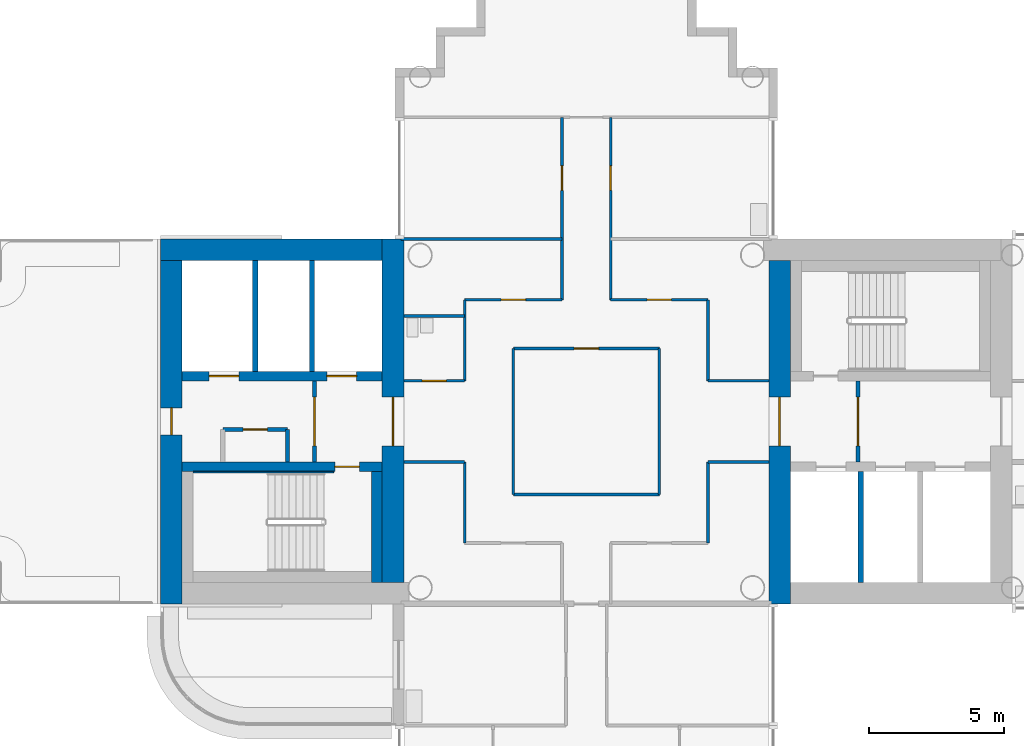
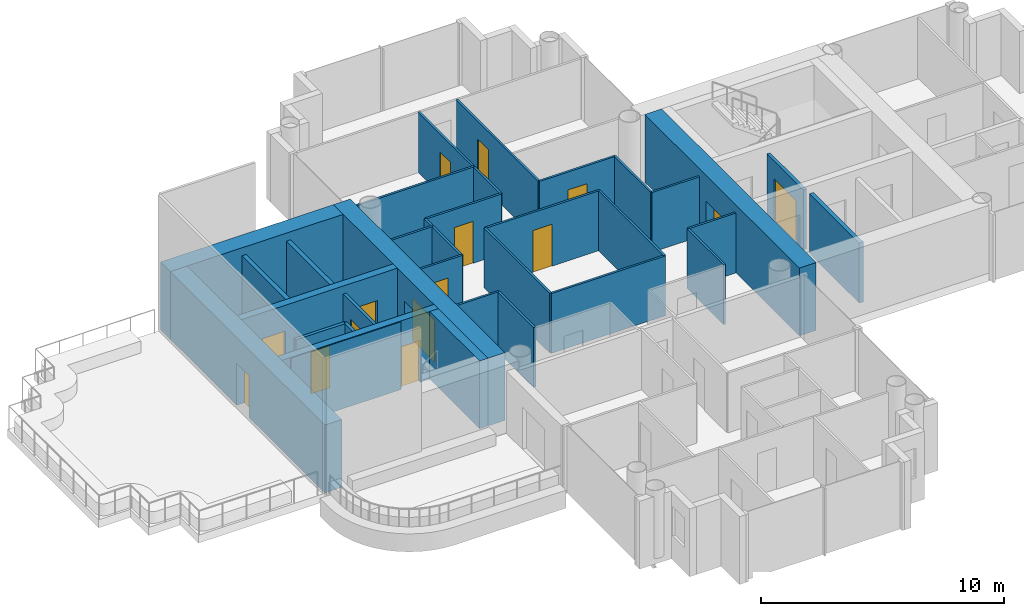
# One storey, part 8 of 19: 33 walls, 15 doors, 15 openings.
"""IFC4 building model written with IfcOpenShell, lengths in metres."""

from ifc_helpers import new_model, si_unit, direction, frame, frame_2d, origin, place, context, subcontext, project, spatial, rectangle, extrude, material, layer, layer_set, type_object, element, fill, save


model = new_model("IFC4")

# Units and contexts
model_context = context("Model", 3, precision=1e-05, world=origin(), true_north=direction((0.0, 1.0)))
body_context = subcontext(model_context, "Body", "Model", "MODEL_VIEW")
ifc_project = project(units=[si_unit("LENGTHUNIT", "METRE"), si_unit("AREAUNIT", "SQUARE_METRE"), si_unit("VOLUMEUNIT", "CUBIC_METRE"), si_unit("PLANEANGLEUNIT", "RADIAN"), si_unit("MASSUNIT", "GRAM", prefix="KILO")], contexts=[model_context])

# Site, building, storey
site_placement = place(None, origin())
site = spatial("IfcSite", under=ifc_project, at=site_placement, CompositionType="ELEMENT")
building_placement = place(site_placement, origin())
building = spatial("IfcBuilding", under=site, at=building_placement, Name="Ipe Terrace Towers", CompositionType="ELEMENT")
storey_placement = place(building_placement, frame((0.0, 0.0, 133.699951171875)))
storey = spatial("IfcBuildingStorey", under=building, at=storey_placement, Name="L36", CompositionType="ELEMENT", Elevation=133.699951171875)

# Walls
ifc_material_1 = material(Name="Gypsum board partition", Category="plasterboard")
ifc_layer_1 = layer(ifc_material_1, 0.10009765625)
ifc_layer_set_1 = layer_set([ifc_layer_1], Name="Gypsum board partition 100 mm")
wall_type_1 = type_object("IfcWallType", Name="Gypsum board partition 100 mm", PredefinedType="PARTITIONING", material=ifc_layer_set_1)
for number, where, z_axis, x_axis, name in (
    (1, (-40.5, -4.5, 0.0), (0.0, 0.0, 1.0), (0.0, 1.0, 0.0), "Gypsum board partition T1 L36 W01"),
    (2, (-40.5, 1.5, 0.0), (0.0, 0.0, 1.0), (0.0, 1.0, 0.0), "Gypsum board partition T1 L36 W02"),
):
    element("IfcWall", number, at=place(storey_placement, frame(where, z_axis=z_axis, x_axis=x_axis)), inside=storey, type_object=wall_type_1, Name=name, PredefinedType="PARTITIONING", context=body_context, shape_type="SweptSolid", body=[
        extrude(rectangle(XDim=3.0, YDim=0.10009765625, at=frame_2d((1.5, 0.0))), origin(), (0.0, 0.0, 1.0), 3.0),
    ])
wall_1_placement = place(storey_placement, frame((-38.699951171875, -2.699951171875, 0.0), z_axis=(0.0, 0.0, 1.0), x_axis=(0.0, 1.0, 0.0)))
element("IfcWall", 3, at=wall_1_placement, inside=storey, type_object=wall_type_1, Name="Gypsum board partition T1 L36 W04", PredefinedType="PARTITIONING", context=body_context, shape_type="SweptSolid", body=[
    extrude(rectangle(XDim=5.39990234375, YDim=0.10009765625, at=frame_2d((2.699951171875, 0.0))), origin(), (0.0, 0.0, 1.0), 3.0),
])

# Wall, opening, door
wall_2_placement = place(storey_placement, frame((-36.89990234375, 4.5, 0.0), z_axis=(0.0, 0.0, 1.0), x_axis=(0.0, 1.0, 0.0)))
wall_2 = element("IfcWall", 4, at=wall_2_placement, inside=storey, type_object=wall_type_1, Name="Gypsum board partition T1 L36 W07", PredefinedType="PARTITIONING", context=body_context, shape_type="SweptSolid", body=[
    extrude(rectangle(XDim=6.75, YDim=0.10009765625, at=frame_2d((3.375, 0.0))), origin(), (0.0, 0.0, 1.0), 3.0),
])
opening_1_placement = place(wall_2_placement, frame((4.050048828125, 0.0, 0.0)))
opening_1 = element("IfcOpeningElement", 5, at=opening_1_placement, cuts=wall_2, Name="Opening T1-Z3A-07", PredefinedType="OPENING", context=body_context, shape_type="SweptSolid", body=[
    extrude(rectangle(XDim=0.89990234375, YDim=2.10009765625, at=frame_2d((0.449951171875, 1.050048828125))), frame((0.0, 0.06005859375, 0.0), z_axis=(0.0, -1.0, 0.0), x_axis=(1.0, 0.0, 0.0)), (0.0, 0.0, 1.0), 0.1201171875),
])
ifc_material_2 = material(Name="Timber door leaf", Category="wood")
door_type_1 = type_object("IfcDoorType", Name="Lounge door 900 x 2100", OperationType="NOTDEFINED", PredefinedType="DOOR", material=ifc_material_2)
door_1_placement = place(opening_1_placement, origin())
door_1 = element("IfcDoor", 6, at=door_1_placement, inside=storey, type_object=door_type_1, Name="Lounge door T1-Z3A-07", OperationType="SINGLE_SWING_LEFT", OverallHeight=2.10009765625, OverallWidth=0.89990234375, PredefinedType="DOOR", context=body_context, shape_type="SweptSolid", body=[
    extrude(rectangle(XDim=0.89990234375, YDim=2.10009765625, at=frame_2d((0.449951171875, 1.050048828125))), frame((0.0, 0.02490234375, 0.0), z_axis=(0.0, -1.0, 0.0), x_axis=(1.0, 0.0, 0.0)), (0.0, 0.0, 1.0), 0.050048828125),
])
fill(opening_1, door_1)

wall_3_placement = place(storey_placement, frame((-35.10009765625, 4.5, 0.0), z_axis=(0.0, 0.0, 1.0), x_axis=(0.0, 1.0, 0.0)))
wall_3 = element("IfcWall", 7, at=wall_3_placement, inside=storey, type_object=wall_type_1, Name="Gypsum board partition T1 L36 W12", PredefinedType="PARTITIONING", context=body_context, shape_type="SweptSolid", body=[
    extrude(rectangle(XDim=6.75, YDim=0.10009765625, at=frame_2d((3.375, 0.0))), origin(), (0.0, 0.0, 1.0), 3.0),
])
opening_2_placement = place(wall_3_placement, frame((4.050048828125, 0.0, 0.0)))
opening_2 = element("IfcOpeningElement", 8, at=opening_2_placement, cuts=wall_3, Name="Opening T1-Z3A-08", PredefinedType="OPENING", context=body_context, shape_type="SweptSolid", body=[
    extrude(rectangle(XDim=0.89990234375, YDim=2.10009765625, at=frame_2d((0.449951171875, 1.050048828125))), frame((0.0, 0.06005859375, 0.0), z_axis=(0.0, -1.0, 0.0), x_axis=(1.0, 0.0, 0.0)), (0.0, 0.0, 1.0), 0.1201171875),
])
door_2_placement = place(opening_2_placement, origin())
door_2 = element("IfcDoor", 9, at=door_2_placement, inside=storey, type_object=door_type_1, Name="Lounge door T1-Z3A-08", OperationType="SINGLE_SWING_RIGHT", OverallHeight=2.10009765625, OverallWidth=0.89990234375, PredefinedType="DOOR", context=body_context, shape_type="SweptSolid", body=[
    extrude(rectangle(XDim=0.89990234375, YDim=2.10009765625, at=frame_2d((0.449951171875, 1.050048828125))), frame((0.0, 0.02490234375, 0.0), z_axis=(0.0, -1.0, 0.0), x_axis=(1.0, 0.0, 0.0)), (0.0, 0.0, 1.0), 0.050048828125),
])
fill(opening_2, door_2)

# Walls
wall_4_placement = place(storey_placement, frame((-33.300048828125, -2.699951171875, 0.0), z_axis=(0.0, 0.0, 1.0), x_axis=(0.0, 1.0, 0.0)))
element("IfcWall", 10, at=wall_4_placement, inside=storey, type_object=wall_type_1, Name="Gypsum board partition T1 L36 W14", PredefinedType="PARTITIONING", context=body_context, shape_type="SweptSolid", body=[
    extrude(rectangle(XDim=5.39990234375, YDim=0.10009765625, at=frame_2d((2.699951171875, 0.0))), origin(), (0.0, 0.0, 1.0), 3.0),
])
for number, where, z_axis, x_axis, name in (
    (11, (-31.5, -4.5, 0.0), (0.0, 0.0, 1.0), (0.0, 1.0, 0.0), "Gypsum board partition T1 L36 W16"),
    (12, (-31.5, 1.5, 0.0), (0.0, 0.0, 1.0), (0.0, 1.0, 0.0), "Gypsum board partition T1 L36 W17"),
):
    element("IfcWall", number, at=place(storey_placement, frame(where, z_axis=z_axis, x_axis=x_axis)), inside=storey, type_object=wall_type_1, Name=name, PredefinedType="PARTITIONING", context=body_context, shape_type="SweptSolid", body=[
        extrude(rectangle(XDim=3.0, YDim=0.10009765625, at=frame_2d((1.5, 0.0))), origin(), (0.0, 0.0, 1.0), 3.0),
    ])
wall_5_placement = place(storey_placement, frame((-38.699951171875, -2.699951171875, 0.0), z_axis=(0.0, 0.0, 1.0), x_axis=(1.0, 0.0, 0.0)))
element("IfcWall", 13, at=wall_5_placement, inside=storey, type_object=wall_type_1, Name="Gypsum board partition T1 L36 W30", PredefinedType="PARTITIONING", context=body_context, shape_type="SweptSolid", body=[
    extrude(rectangle(XDim=5.39990234375, YDim=0.10009765625, at=frame_2d((2.699951171875, 0.0))), origin(), (0.0, 0.0, 1.0), 3.0),
])
for number, where, z_axis, x_axis, name in (
    (14, (-42.75, -1.5, 0.0), (0.0, 0.0, 1.0), (1.0, 0.0, 0.0), "Gypsum board partition T1 L36 W31"),
    (15, (-31.5, -1.5, 0.0), (0.0, 0.0, 1.0), (1.0, 0.0, 0.0), "Gypsum board partition T1 L36 W32"),
):
    element("IfcWall", number, at=place(storey_placement, frame(where, z_axis=z_axis, x_axis=x_axis)), inside=storey, type_object=wall_type_1, Name=name, PredefinedType="PARTITIONING", context=body_context, shape_type="SweptSolid", body=[
        extrude(rectangle(XDim=2.25, YDim=0.10009765625, at=frame_2d((1.125, 0.0))), origin(), (0.0, 0.0, 1.0), 3.0),
    ])

# Wall, opening, door
wall_6_placement = place(storey_placement, frame((-42.75, 1.5, 0.0), z_axis=(0.0, 0.0, 1.0), x_axis=(1.0, 0.0, 0.0)))
wall_6 = element("IfcWall", 16, at=wall_6_placement, inside=storey, type_object=wall_type_1, Name="Gypsum board partition T1 L36 W34", PredefinedType="PARTITIONING", context=body_context, shape_type="SweptSolid", body=[
    extrude(rectangle(XDim=2.25, YDim=0.10009765625, at=frame_2d((1.125, 0.0))), origin(), (0.0, 0.0, 1.0), 3.0),
])
opening_3_placement = place(wall_6_placement, frame((0.675048828125, 0.0, 0.0)))
opening_3 = element("IfcOpeningElement", 17, at=opening_3_placement, cuts=wall_6, Name="Opening T1-Z3A-02", PredefinedType="OPENING", context=body_context, shape_type="SweptSolid", body=[
    extrude(rectangle(XDim=0.89990234375, YDim=2.10009765625, at=frame_2d((0.449951171875, 1.050048828125))), frame((0.0, 0.06005859375, 0.0), z_axis=(0.0, -1.0, 0.0), x_axis=(1.0, 0.0, 0.0)), (0.0, 0.0, 1.0), 0.1201171875),
])
ifc_material_3 = material(Name="Timber door leaf", Category="wood")
door_type_2 = type_object("IfcDoorType", Name="Bathroom door 900 x 2100", OperationType="NOTDEFINED", PredefinedType="DOOR", material=ifc_material_3)
door_3_placement = place(opening_3_placement, origin())
door_3 = element("IfcDoor", 18, at=door_3_placement, inside=storey, type_object=door_type_2, Name="Bathroom door T1-Z3A-02", OperationType="SINGLE_SWING_LEFT", OverallHeight=2.10009765625, OverallWidth=0.89990234375, PredefinedType="DOOR", context=body_context, shape_type="SweptSolid", body=[
    extrude(rectangle(XDim=0.89990234375, YDim=2.10009765625, at=frame_2d((0.449951171875, 1.050048828125))), frame((0.0, 0.02490234375, 0.0), z_axis=(0.0, -1.0, 0.0), x_axis=(1.0, 0.0, 0.0)), (0.0, 0.0, 1.0), 0.050048828125),
])
fill(opening_3, door_3)

# Wall
wall_7_placement = place(storey_placement, frame((-31.5, 1.5, 0.0), z_axis=(0.0, 0.0, 1.0), x_axis=(1.0, 0.0, 0.0)))
element("IfcWall", 19, at=wall_7_placement, inside=storey, type_object=wall_type_1, Name="Gypsum board partition T1 L36 W35", PredefinedType="PARTITIONING", context=body_context, shape_type="SweptSolid", body=[
    extrude(rectangle(XDim=2.25, YDim=0.10009765625, at=frame_2d((1.125, 0.0))), origin(), (0.0, 0.0, 1.0), 3.0),
])

# Wall, opening, door
wall_8_placement = place(storey_placement, frame((-38.699951171875, 2.699951171875, 0.0), z_axis=(0.0, 0.0, 1.0), x_axis=(1.0, 0.0, 0.0)))
wall_8 = element("IfcWall", 20, at=wall_8_placement, inside=storey, type_object=wall_type_1, Name="Gypsum board partition T1 L36 W37", PredefinedType="PARTITIONING", context=body_context, shape_type="SweptSolid", body=[
    extrude(rectangle(XDim=5.39990234375, YDim=0.10009765625, at=frame_2d((2.699951171875, 0.0))), origin(), (0.0, 0.0, 1.0), 3.0),
])
opening_4_placement = place(wall_8_placement, frame((2.25, 0.0, 0.0)))
opening_4 = element("IfcOpeningElement", 21, at=opening_4_placement, cuts=wall_8, Name="Opening T1-Z3A-01", PredefinedType="OPENING", context=body_context, shape_type="SweptSolid", body=[
    extrude(rectangle(XDim=0.89990234375, YDim=2.10009765625, at=frame_2d((0.449951171875, 1.050048828125))), frame((0.0, 0.06005859375, 0.0), z_axis=(0.0, -1.0, 0.0), x_axis=(1.0, 0.0, 0.0)), (0.0, 0.0, 1.0), 0.1201171875),
])
door_4_placement = place(opening_4_placement, origin())
door_4 = element("IfcDoor", 22, at=door_4_placement, inside=storey, type_object=door_type_1, Name="Lounge door T1-Z3A-01", OperationType="SINGLE_SWING_RIGHT", OverallHeight=2.10009765625, OverallWidth=0.89990234375, PredefinedType="DOOR", context=body_context, shape_type="SweptSolid", body=[
    extrude(rectangle(XDim=0.89990234375, YDim=2.10009765625, at=frame_2d((0.449951171875, 1.050048828125))), frame((0.0, 0.02490234375, 0.0), z_axis=(0.0, -1.0, 0.0), x_axis=(1.0, 0.0, 0.0)), (0.0, 0.0, 1.0), 0.050048828125),
])
fill(opening_4, door_4)

# Wall
wall_9_placement = place(storey_placement, frame((-42.75, 3.89990234375, 0.0), z_axis=(0.0, 0.0, 1.0), x_axis=(1.0, 0.0, 0.0)))
element("IfcWall", 23, at=wall_9_placement, inside=storey, type_object=wall_type_1, Name="Gypsum board partition T1 L36 W38", PredefinedType="PARTITIONING", context=body_context, shape_type="SweptSolid", body=[
    extrude(rectangle(XDim=2.25, YDim=0.10009765625, at=frame_2d((1.125, 0.0))), origin(), (0.0, 0.0, 1.0), 3.0),
])

# Wall, opening, door
wall_10_placement = place(storey_placement, frame((-40.5, 4.5, 0.0), z_axis=(0.0, 0.0, 1.0), x_axis=(1.0, 0.0, 0.0)))
wall_10 = element("IfcWall", 24, at=wall_10_placement, inside=storey, type_object=wall_type_1, Name="Gypsum board partition T1 L36 W39", PredefinedType="PARTITIONING", context=body_context, shape_type="SweptSolid", body=[
    extrude(rectangle(XDim=3.60009765625, YDim=0.10009765625, at=frame_2d((1.800048828125, 0.0))), origin(), (0.0, 0.0, 1.0), 3.0),
])
opening_5_placement = place(wall_10_placement, frame((1.35009765625, 0.0, 0.0)))
opening_5 = element("IfcOpeningElement", 25, at=opening_5_placement, cuts=wall_10, Name="Opening T1-Z3A-04", PredefinedType="OPENING", context=body_context, shape_type="SweptSolid", body=[
    extrude(rectangle(XDim=0.89990234375, YDim=2.10009765625, at=frame_2d((0.449951171875, 1.050048828125))), frame((0.0, 0.06005859375, 0.0), z_axis=(0.0, -1.0, 0.0), x_axis=(1.0, 0.0, 0.0)), (0.0, 0.0, 1.0), 0.1201171875),
])
door_5_placement = place(opening_5_placement, origin())
door_5 = element("IfcDoor", 26, at=door_5_placement, inside=storey, type_object=door_type_1, Name="Lounge door T1-Z3A-04", OperationType="SINGLE_SWING_RIGHT", OverallHeight=2.10009765625, OverallWidth=0.89990234375, PredefinedType="DOOR", context=body_context, shape_type="SweptSolid", body=[
    extrude(rectangle(XDim=0.89990234375, YDim=2.10009765625, at=frame_2d((0.449951171875, 1.050048828125))), frame((0.0, 0.02490234375, 0.0), z_axis=(0.0, -1.0, 0.0), x_axis=(1.0, 0.0, 0.0)), (0.0, 0.0, 1.0), 0.050048828125),
])
fill(opening_5, door_5)

wall_11_placement = place(storey_placement, frame((-35.10009765625, 4.5, 0.0), z_axis=(0.0, 0.0, 1.0), x_axis=(1.0, 0.0, 0.0)))
wall_11 = element("IfcWall", 27, at=wall_11_placement, inside=storey, type_object=wall_type_1, Name="Gypsum board partition T1 L36 W40", PredefinedType="PARTITIONING", context=body_context, shape_type="SweptSolid", body=[
    extrude(rectangle(XDim=3.60009765625, YDim=0.10009765625, at=frame_2d((1.800048828125, 0.0))), origin(), (0.0, 0.0, 1.0), 3.0),
])
opening_6_placement = place(wall_11_placement, frame((1.35009765625, 0.0, 0.0)))
opening_6 = element("IfcOpeningElement", 28, at=opening_6_placement, cuts=wall_11, Name="Opening T1-Z3A-03", PredefinedType="OPENING", context=body_context, shape_type="SweptSolid", body=[
    extrude(rectangle(XDim=0.89990234375, YDim=2.10009765625, at=frame_2d((0.449951171875, 1.050048828125))), frame((0.0, 0.06005859375, 0.0), z_axis=(0.0, -1.0, 0.0), x_axis=(1.0, 0.0, 0.0)), (0.0, 0.0, 1.0), 0.1201171875),
])
door_6_placement = place(opening_6_placement, origin())
door_6 = element("IfcDoor", 29, at=door_6_placement, inside=storey, type_object=door_type_1, Name="Lounge door T1-Z3A-03", OperationType="SINGLE_SWING_RIGHT", OverallHeight=2.10009765625, OverallWidth=0.89990234375, PredefinedType="DOOR", context=body_context, shape_type="SweptSolid", body=[
    extrude(rectangle(XDim=0.89990234375, YDim=2.10009765625, at=frame_2d((0.449951171875, 1.050048828125))), frame((0.0, 0.02490234375, 0.0), z_axis=(0.0, -1.0, 0.0), x_axis=(1.0, 0.0, 0.0)), (0.0, 0.0, 1.0), 0.050048828125),
])
fill(opening_6, door_6)

# Wall
wall_12_placement = place(storey_placement, frame((-42.85009765625, 6.75, 0.0), z_axis=(0.0, 0.0, 1.0), x_axis=(1.0, 0.0, 0.0)))
element("IfcWall", 30, at=wall_12_placement, inside=storey, type_object=wall_type_1, Name="Gypsum board partition T1 L36 W41", PredefinedType="PARTITIONING", context=body_context, shape_type="SweptSolid", body=[
    extrude(rectangle(XDim=5.9501953125, YDim=0.10009765625, at=frame_2d((2.97509765625, 0.0))), origin(), (0.0, 0.0, 1.0), 3.0),
])

# Wall, opening, door
ifc_material_4 = material(Name="Gypsum board partition", Category="plasterboard")
ifc_layer_2 = layer(ifc_material_4, 0.14990234375)
ifc_layer_set_2 = layer_set([ifc_layer_2], Name="Gypsum board partition 150 mm")
wall_type_2 = type_object("IfcWallType", Name="Gypsum board partition 150 mm", PredefinedType="PARTITIONING", material=ifc_layer_set_2)
wall_13_placement = place(storey_placement, frame((-25.949951171875, -1.5, 0.0), z_axis=(0.0, 0.0, 1.0), x_axis=(0.0, 1.0, 0.0)))
wall_13 = element("IfcWall", 31, at=wall_13_placement, inside=storey, type_object=wall_type_2, Name="Gypsum board partition T1 L36 t1c1-lobby-wall", PredefinedType="PARTITIONING", context=body_context, shape_type="SweptSolid", body=[
    extrude(rectangle(XDim=3.0, YDim=0.14990234375, at=frame_2d((1.5, 0.0))), origin(), (0.0, 0.0, 1.0), 3.0),
])
opening_7_placement = place(wall_13_placement, frame((0.60009765625, 0.0, 0.0)))
opening_7 = element("IfcOpeningElement", 32, at=opening_7_placement, cuts=wall_13, Name="Opening T1C1-VD", PredefinedType="OPENING", context=body_context, shape_type="SweptSolid", body=[
    extrude(rectangle(XDim=1.800048828125, YDim=2.10009765625, at=frame_2d((0.89990234375, 1.050048828125))), frame((0.0, 0.0849609375, 0.0), z_axis=(0.0, -1.0, 0.0), x_axis=(1.0, 0.0, 0.0)), (0.0, 0.0, 1.0), 0.169921875),
])
ifc_material_5 = material(Name="Fire-rated timber door leaf", Category="wood")
door_type_3 = type_object("IfcDoorType", Name="Lobby door 1800 x 2100 FD60", OperationType="NOTDEFINED", PredefinedType="DOOR", material=ifc_material_5)
door_7_placement = place(opening_7_placement, origin())
door_7 = element("IfcDoor", 33, at=door_7_placement, inside=storey, type_object=door_type_3, Name="Lobby door T1C1-VD", OperationType="SINGLE_SWING_LEFT", OverallHeight=2.10009765625, OverallWidth=1.800048828125, PredefinedType="DOOR", context=body_context, shape_type="SweptSolid", body=[
    extrude(rectangle(XDim=1.800048828125, YDim=2.10009765625, at=frame_2d((0.89990234375, 1.050048828125))), frame((0.0, 0.02490234375, 0.0), z_axis=(0.0, -1.0, 0.0), x_axis=(1.0, 0.0, 0.0)), (0.0, 0.0, 1.0), 0.050048828125),
])
fill(opening_7, door_7)

wall_14_placement = place(storey_placement, frame((-46.050048828125, 1.5, 0.0), z_axis=(0.0, 0.0, 1.0), x_axis=(0.0, -1.0, 0.0)))
wall_14 = element("IfcWall", 34, at=wall_14_placement, inside=storey, type_object=wall_type_2, Name="Gypsum board partition T1 L36 t1c2-lobby-wall", PredefinedType="PARTITIONING", context=body_context, shape_type="SweptSolid", body=[
    extrude(rectangle(XDim=3.0, YDim=0.14990234375, at=frame_2d((1.5, 0.0))), origin(), (0.0, 0.0, 1.0), 3.0),
])
opening_8_placement = place(wall_14_placement, frame((0.60009765625, 0.0, 0.0)))
opening_8 = element("IfcOpeningElement", 35, at=opening_8_placement, cuts=wall_14, Name="Opening T1C2-VD", PredefinedType="OPENING", context=body_context, shape_type="SweptSolid", body=[
    extrude(rectangle(XDim=1.800048828125, YDim=2.10009765625, at=frame_2d((0.89990234375, 1.050048828125))), frame((0.0, 0.0849609375, 0.0), z_axis=(0.0, -1.0, 0.0), x_axis=(1.0, 0.0, 0.0)), (0.0, 0.0, 1.0), 0.169921875),
])
door_8_placement = place(opening_8_placement, origin())
door_8 = element("IfcDoor", 36, at=door_8_placement, inside=storey, type_object=door_type_3, Name="Lobby door T1C2-VD", OperationType="SINGLE_SWING_LEFT", OverallHeight=2.10009765625, OverallWidth=1.800048828125, PredefinedType="DOOR", context=body_context, shape_type="SweptSolid", body=[
    extrude(rectangle(XDim=1.800048828125, YDim=2.10009765625, at=frame_2d((0.89990234375, 1.050048828125))), frame((0.0, 0.02490234375, 0.0), z_axis=(0.0, -1.0, 0.0), x_axis=(1.0, 0.0, 0.0)), (0.0, 0.0, 1.0), 0.050048828125),
])
fill(opening_8, door_8)

wall_15_placement = place(storey_placement, frame((-47.050048828125, -0.300048828125, 0.0), z_axis=(0.0, 0.0, 1.0), x_axis=(-1.0, 0.0, 0.0)))
wall_15 = element("IfcWall", 37, at=wall_15_placement, inside=storey, type_object=wall_type_2, Name="Gypsum board partition T1 L36 t1c2-cup-n-f", PredefinedType="PARTITIONING", context=body_context, shape_type="SweptSolid", body=[
    extrude(rectangle(XDim=2.39990234375, YDim=0.14990234375, at=frame_2d((1.199951171875, 0.0))), origin(), (0.0, 0.0, 1.0), 3.0),
])
opening_9_placement = place(wall_15_placement, frame((0.75, 0.0, 0.0)))
opening_9 = element("IfcOpeningElement", 38, at=opening_9_placement, cuts=wall_15, Name="Opening T1C2-SR", PredefinedType="OPENING", context=body_context, shape_type="SweptSolid", body=[
    extrude(rectangle(XDim=0.89990234375, YDim=2.10009765625, at=frame_2d((0.449951171875, 1.050048828125))), frame((0.0, 0.0849609375, 0.0), z_axis=(0.0, -1.0, 0.0), x_axis=(1.0, 0.0, 0.0)), (0.0, 0.0, 1.0), 0.169921875),
])
ifc_material_6 = material(Name="Fire-rated timber door leaf", Category="wood")
door_type_4 = type_object("IfcDoorType", Name="Service door 900 x 2100 FD60", OperationType="NOTDEFINED", PredefinedType="DOOR", material=ifc_material_6)
door_9_placement = place(opening_9_placement, origin())
door_9 = element("IfcDoor", 39, at=door_9_placement, inside=storey, type_object=door_type_4, Name="Service door T1C2-SR", OperationType="SINGLE_SWING_LEFT", OverallHeight=2.10009765625, OverallWidth=0.89990234375, PredefinedType="DOOR", context=body_context, shape_type="SweptSolid", body=[
    extrude(rectangle(XDim=0.89990234375, YDim=2.10009765625, at=frame_2d((0.449951171875, 1.050048828125))), frame((0.0, 0.02490234375, 0.0), z_axis=(0.0, -1.0, 0.0), x_axis=(1.0, 0.0, 0.0)), (0.0, 0.0, 1.0), 0.050048828125),
])
fill(opening_9, door_9)

# Walls
wall_16_placement = place(storey_placement, frame((-47.050048828125, -0.300048828125, 0.0), z_axis=(0.0, 0.0, 1.0), x_axis=(0.0, -1.0, 0.0)))
element("IfcWall", 40, at=wall_16_placement, inside=storey, type_object=wall_type_2, Name="Gypsum board partition T1 L36 t1c2-cup-n-a", PredefinedType="PARTITIONING", context=body_context, shape_type="SweptSolid", body=[
    extrude(rectangle(XDim=1.199951171875, YDim=0.14990234375, at=frame_2d((0.60009765625, 0.0))), origin(), (0.0, 0.0, 1.0), 3.0),
])
ifc_material_7 = material(Name="Gypsum board party wall", Category="plasterboard")
ifc_layer_3 = layer(ifc_material_7, 0.199951171875)
ifc_layer_set_3 = layer_set([ifc_layer_3], Name="Gypsum board party wall 200 mm")
wall_type_3 = type_object("IfcWallType", Name="Gypsum board party wall 200 mm", PredefinedType="SOLIDWALL", material=ifc_layer_set_3)
for number, where, z_axis, x_axis, name in (
    (41, (-25.85009765625, -5.949951171875, 0.0), (0.0, 0.0, 1.0), (0.0, 1.0, 0.0), "Gypsum board party wall T1 L36 t1c1-shaft-div1"),
    (42, (-46.14990234375, 5.949951171875, 0.0), (0.0, 0.0, 1.0), (0.0, -1.0, 0.0), "Gypsum board party wall T1 L36 t1c2-shaft-div1"),
    (43, (-48.25, 5.949951171875, 0.0), (0.0, 0.0, 1.0), (0.0, -1.0, 0.0), "Gypsum board party wall T1 L36 t1c2-shaft-div2"),
):
    element("IfcWall", number, at=place(storey_placement, frame(where, z_axis=z_axis, x_axis=x_axis)), inside=storey, type_object=wall_type_3, Name=name, PredefinedType="SOLIDWALL", context=body_context, shape_type="SweptSolid", body=[
        extrude(rectangle(XDim=4.099853515625, YDim=0.199951171875, at=frame_2d((2.0498046875, 0.0))), origin(), (0.0, 0.0, 1.0), 3.0),
    ])

# Wall, opening, door
ifc_material_8 = material(Name="Concrete C50/60", Category="concrete")
ifc_layer_4 = layer(ifc_material_8, 0.35009765625)
ifc_layer_set_4 = layer_set([ifc_layer_4], Name="RW350 CORE SPINE WALL 350 C50-60")
wall_type_4 = type_object("IfcWallType", Name="RW350 CORE SPINE WALL 350 C50-60", PredefinedType="SHEAR", material=ifc_layer_set_4)
wall_17_placement = place(storey_placement, frame((-50.949951171875, -1.675048828125, 0.0), z_axis=(0.0, 0.0, 1.0), x_axis=(1.0, 0.0, 0.0)))
wall_17 = element("IfcWall", 44, at=wall_17_placement, inside=storey, type_object=wall_type_4, Name="Core spine wall T1-C2-Z3-SW1", PredefinedType="SHEAR", context=body_context, shape_type="SweptSolid", body=[
    extrude(rectangle(XDim=7.39990234375, YDim=0.35009765625, at=frame_2d((3.699951171875, 0.0))), origin(), (0.0, 0.0, 1.0), 3.400146484375),
])
opening_10_placement = place(wall_17_placement, frame((5.64990234375, 0.0, 0.0)))
opening_10 = element("IfcOpeningElement", 45, at=opening_10_placement, cuts=wall_17, Name="Opening T1C2-SD", PredefinedType="OPENING", context=body_context, shape_type="SweptSolid", body=[
    extrude(rectangle(XDim=0.89990234375, YDim=2.10009765625, at=frame_2d((0.449951171875, 1.050048828125))), frame((0.0, 0.18505859375, 0.0), z_axis=(0.0, -1.0, 0.0), x_axis=(1.0, 0.0, 0.0)), (0.0, 0.0, 1.0), 0.3701171875),
])
ifc_material_9 = material(Name="Fire-rated timber door leaf", Category="wood")
door_type_5 = type_object("IfcDoorType", Name="Stair door 900 x 2100 FD60", OperationType="NOTDEFINED", PredefinedType="DOOR", material=ifc_material_9)
door_10_placement = place(opening_10_placement, origin())
door_10 = element("IfcDoor", 46, at=door_10_placement, inside=storey, type_object=door_type_5, Name="Stair door T1C2-SD", OperationType="SINGLE_SWING_RIGHT", OverallHeight=2.10009765625, OverallWidth=0.89990234375, PredefinedType="DOOR", context=body_context, shape_type="SweptSolid", body=[
    extrude(rectangle(XDim=0.89990234375, YDim=2.10009765625, at=frame_2d((0.449951171875, 1.050048828125))), frame((0.0, 0.02490234375, 0.0), z_axis=(0.0, -1.0, 0.0), x_axis=(1.0, 0.0, 0.0)), (0.0, 0.0, 1.0), 0.050048828125),
])
fill(opening_10, door_10)

# Wall, openings, doors
wall_18_placement = place(storey_placement, frame((-50.949951171875, 1.675048828125, 0.0), z_axis=(0.0, 0.0, 1.0), x_axis=(1.0, 0.0, 0.0)))
wall_18 = element("IfcWall", 47, at=wall_18_placement, inside=storey, type_object=wall_type_4, Name="Core spine wall T1-C2-Z3-SW2", PredefinedType="SHEAR", context=body_context, shape_type="SweptSolid", body=[
    extrude(rectangle(XDim=7.39990234375, YDim=0.35009765625, at=frame_2d((3.699951171875, 0.0))), origin(), (0.0, 0.0, 1.0), 3.400146484375),
])
opening_11_placement = place(wall_18_placement, frame((5.35009765625, 0.0, 0.0)))
opening_11 = element("IfcOpeningElement", 48, at=opening_11_placement, cuts=wall_18, Name="Opening T1C2-LD1", PredefinedType="OPENING", context=body_context, shape_type="SweptSolid", body=[
    extrude(rectangle(XDim=1.10009765625, YDim=2.10009765625, at=frame_2d((0.550048828125, 1.050048828125))), frame((0.0, 0.18505859375, 0.0), z_axis=(0.0, -1.0, 0.0), x_axis=(1.0, 0.0, 0.0)), (0.0, 0.0, 1.0), 0.3701171875),
])
opening_12_placement = place(wall_18_placement, frame((1.0, 0.0, 0.0)))
opening_12 = element("IfcOpeningElement", 49, at=opening_12_placement, cuts=wall_18, Name="Opening T1C2-LD3", PredefinedType="OPENING", context=body_context, shape_type="SweptSolid", body=[
    extrude(rectangle(XDim=1.10009765625, YDim=2.10009765625, at=frame_2d((0.550048828125, 1.050048828125))), frame((0.0, 0.18505859375, 0.0), z_axis=(0.0, -1.0, 0.0), x_axis=(1.0, 0.0, 0.0)), (0.0, 0.0, 1.0), 0.3701171875),
])
ifc_material_10 = material(Name="Fire-rated timber door leaf", Category="wood")
door_type_6 = type_object("IfcDoorType", Name="Sliding door 1100 x 2100 FD60", OperationType="SLIDING_TO_LEFT", PredefinedType="DOOR", material=ifc_material_10)
door_11_placement = place(opening_11_placement, origin())
door_11 = element("IfcDoor", 50, at=door_11_placement, inside=storey, type_object=door_type_6, Name="Sliding door T1C2-LD1", OperationType="SLIDING_TO_LEFT", OverallHeight=2.10009765625, OverallWidth=1.10009765625, PredefinedType="DOOR", context=body_context, shape_type="SweptSolid", body=[
    extrude(rectangle(XDim=1.10009765625, YDim=2.10009765625, at=frame_2d((0.550048828125, 1.050048828125))), frame((0.0, 0.02490234375, 0.0), z_axis=(0.0, -1.0, 0.0), x_axis=(1.0, 0.0, 0.0)), (0.0, 0.0, 1.0), 0.050048828125),
])
fill(opening_11, door_11)
door_12_placement = place(opening_12_placement, origin())
door_12 = element("IfcDoor", 51, at=door_12_placement, inside=storey, type_object=door_type_6, Name="Sliding door T1C2-LD3", OperationType="SLIDING_TO_LEFT", OverallHeight=2.10009765625, OverallWidth=1.10009765625, PredefinedType="DOOR", context=body_context, shape_type="SweptSolid", body=[
    extrude(rectangle(XDim=1.10009765625, YDim=2.10009765625, at=frame_2d((0.550048828125, 1.050048828125))), frame((0.0, 0.02490234375, 0.0), z_axis=(0.0, -1.0, 0.0), x_axis=(1.0, 0.0, 0.0)), (0.0, 0.0, 1.0), 0.050048828125),
])
fill(opening_12, door_12)

# Walls
ifc_material_11 = material(Name="Concrete C50/60", Category="concrete")
ifc_layer_5 = layer(ifc_material_11, 0.39990234375)
ifc_layer_set_5 = layer_set([ifc_layer_5], Name="RW400 CORE INFILL WALL 400 C50-60")
wall_type_5 = type_object("IfcWallType", Name="RW400 CORE INFILL WALL 400 C50-60", PredefinedType="SHEAR", material=ifc_layer_set_5)
wall_19_placement = place(storey_placement, frame((-43.75, -1.85009765625, 0.0), z_axis=(0.0, 0.0, 1.0), x_axis=(0.0, -1.0, 0.0)))
element("IfcWall", 52, at=wall_19_placement, inside=storey, type_object=wall_type_5, Name="Core infill wall T1-C2-near", PredefinedType="SHEAR", context=body_context, shape_type="SweptSolid", body=[
    extrude(rectangle(XDim=4.099853515625, YDim=0.39990234375, at=frame_2d((2.0498046875, 0.0))), origin(), (0.0, 0.0, 1.0), 3.400146484375),
])
ifc_material_12 = material(Name="Concrete C50/60", Category="concrete")
ifc_layer_6 = layer(ifc_material_12, 0.050048828125)
ifc_layer_set_6 = layer_set([ifc_layer_6], Name="RW50 CORE INFILL WALL 50 C50-60")
wall_type_6 = type_object("IfcWallType", Name="RW50 CORE INFILL WALL 50 C50-60", PredefinedType="SHEAR", material=ifc_layer_set_6)
wall_20_placement = place(storey_placement, frame((-45.35009765625, -1.875, 0.0), z_axis=(0.0, 0.0, 1.0), x_axis=(-1.0, 0.0, 0.0)))
element("IfcWall", 53, at=wall_20_placement, inside=storey, type_object=wall_type_6, Name="Core infill wall T1-C2-spine-b", PredefinedType="SHEAR", context=body_context, shape_type="SweptSolid", body=[
    extrude(rectangle(XDim=5.199951171875, YDim=0.050048828125, at=frame_2d((2.60009765625, 0.0))), origin(), (0.0, 0.0, 1.0), 3.400146484375),
])

# Wall, opening, door
ifc_material_13 = material(Name="Concrete C50/60", Category="concrete")
ifc_layer_7 = layer(ifc_material_13, 0.800048828125)
ifc_layer_set_7 = layer_set([ifc_layer_7], Name="RW800 CORE WALL 800 C50-60")
wall_type_7 = type_object("IfcWallType", Name="RW800 CORE WALL 800 C50-60", PredefinedType="SHEAR", material=ifc_layer_set_7)
wall_21_placement = place(storey_placement, frame((-28.85009765625, 5.949951171875, 0.0), z_axis=(0.0, 0.0, 1.0), x_axis=(0.0, -1.0, 0.0)))
wall_21 = element("IfcWall", 54, at=wall_21_placement, inside=storey, type_object=wall_type_7, Name="Core wall T1-C1-Z3-W04", PredefinedType="SHEAR", context=body_context, shape_type="SweptSolid", body=[
    extrude(rectangle(XDim=12.699951171875, YDim=0.800048828125, at=frame_2d((6.35009765625, 0.0))), origin(), (0.0, 0.0, 1.0), 3.400146484375),
])
opening_13_placement = place(wall_21_placement, frame((5.050048828125, 0.0, 0.0)))
opening_13 = element("IfcOpeningElement", 55, at=opening_13_placement, cuts=wall_21, Name="Opening T1C1-ND", PredefinedType="OPENING", context=body_context, shape_type="SweptSolid", body=[
    extrude(rectangle(XDim=1.800048828125, YDim=2.10009765625, at=frame_2d((0.89990234375, 1.050048828125))), frame((0.0, 0.41015625, 0.0), z_axis=(0.0, -1.0, 0.0), x_axis=(1.0, 0.0, 0.0)), (0.0, 0.0, 1.0), 0.820068359375),
])
ifc_material_14 = material(Name="Fire-rated timber door leaf", Category="wood")
door_type_7 = type_object("IfcDoorType", Name="Fire door 1800 x 2100 FD30S", OperationType="NOTDEFINED", PredefinedType="DOOR", material=ifc_material_14)
door_13_placement = place(opening_13_placement, origin())
door_13 = element("IfcDoor", 56, at=door_13_placement, inside=storey, type_object=door_type_7, Name="Fire door T1C1-ND", OperationType="SINGLE_SWING_LEFT", OverallHeight=2.10009765625, OverallWidth=1.800048828125, PredefinedType="DOOR", context=body_context, shape_type="SweptSolid", body=[
    extrude(rectangle(XDim=1.800048828125, YDim=2.10009765625, at=frame_2d((0.89990234375, 1.050048828125))), frame((0.0, 0.02490234375, 0.0), z_axis=(0.0, -1.0, 0.0), x_axis=(1.0, 0.0, 0.0)), (0.0, 0.0, 1.0), 0.050048828125),
])
fill(opening_13, door_13)

wall_22_placement = place(storey_placement, frame((-43.14990234375, -5.949951171875, 0.0), z_axis=(0.0, 0.0, 1.0), x_axis=(0.0, 1.0, 0.0)))
wall_22 = element("IfcWall", 57, at=wall_22_placement, inside=storey, type_object=wall_type_7, Name="Core wall T1-C2-Z3-W02", PredefinedType="SHEAR", context=body_context, shape_type="SweptSolid", body=[
    extrude(rectangle(XDim=12.699951171875, YDim=0.800048828125, at=frame_2d((6.35009765625, 0.0))), origin(), (0.0, 0.0, 1.0), 3.400146484375),
])
opening_14_placement = place(wall_22_placement, frame((5.050048828125, 0.0, 0.0)))
opening_14 = element("IfcOpeningElement", 58, at=opening_14_placement, cuts=wall_22, Name="Opening T1C2-ND", PredefinedType="OPENING", context=body_context, shape_type="SweptSolid", body=[
    extrude(rectangle(XDim=1.800048828125, YDim=2.10009765625, at=frame_2d((0.89990234375, 1.050048828125))), frame((0.0, 0.41015625, 0.0), z_axis=(0.0, -1.0, 0.0), x_axis=(1.0, 0.0, 0.0)), (0.0, 0.0, 1.0), 0.820068359375),
])
door_14_placement = place(opening_14_placement, origin())
door_14 = element("IfcDoor", 59, at=door_14_placement, inside=storey, type_object=door_type_7, Name="Fire door T1C2-ND", OperationType="SINGLE_SWING_LEFT", OverallHeight=2.10009765625, OverallWidth=1.800048828125, PredefinedType="DOOR", context=body_context, shape_type="SweptSolid", body=[
    extrude(rectangle(XDim=1.800048828125, YDim=2.10009765625, at=frame_2d((0.89990234375, 1.050048828125))), frame((0.0, 0.02490234375, 0.0), z_axis=(0.0, -1.0, 0.0), x_axis=(1.0, 0.0, 0.0)), (0.0, 0.0, 1.0), 0.050048828125),
])
fill(opening_14, door_14)

# Wall
wall_23_placement = place(storey_placement, frame((-43.550048828125, 6.35009765625, 0.0), z_axis=(0.0, 0.0, 1.0), x_axis=(-1.0, 0.0, 0.0)))
element("IfcWall", 60, at=wall_23_placement, inside=storey, type_object=wall_type_7, Name="Core wall T1-C2-Z3-W03", PredefinedType="SHEAR", context=body_context, shape_type="SweptSolid", body=[
    extrude(rectangle(XDim=8.199951171875, YDim=0.800048828125, at=frame_2d((4.10009765625, 0.0))), origin(), (0.0, 0.0, 1.0), 3.400146484375),
])

# Wall, opening, door
wall_24_placement = place(storey_placement, frame((-51.35009765625, 5.949951171875, 0.0), z_axis=(0.0, 0.0, 1.0), x_axis=(0.0, -1.0, 0.0)))
wall_24 = element("IfcWall", 61, at=wall_24_placement, inside=storey, type_object=wall_type_7, Name="Core wall T1-C2-Z3-W04", PredefinedType="SHEAR", context=body_context, shape_type="SweptSolid", body=[
    extrude(rectangle(XDim=12.699951171875, YDim=0.800048828125, at=frame_2d((6.35009765625, 0.0))), origin(), (0.0, 0.0, 1.0), 3.400146484375),
])
opening_15_placement = place(wall_24_placement, frame((5.449951171875, 0.0, 0.0)))
opening_15 = element("IfcOpeningElement", 62, at=opening_15_placement, cuts=wall_24, Name="Opening T1-C2-D-L36", PredefinedType="OPENING", context=body_context, shape_type="SweptSolid", body=[
    extrude(rectangle(XDim=1.0, YDim=2.10009765625, at=frame_2d((0.5, 1.050048828125))), frame((0.0, 0.41015625, 0.0), z_axis=(0.0, -1.0, 0.0), x_axis=(1.0, 0.0, 0.0)), (0.0, 0.0, 1.0), 0.820068359375),
])
ifc_material_15 = material(Name="Aluminium alloy 6063-T6 framed glazed door", Category="aluminium")
door_type_8 = type_object("IfcDoorType", Name="TERRACE DOOR 1000 x 2100", OperationType="SINGLE_SWING_LEFT", PredefinedType="DOOR", material=ifc_material_15)
door_15_placement = place(opening_15_placement, origin())
door_15 = element("IfcDoor", 63, at=door_15_placement, inside=storey, type_object=door_type_8, Name="DT1 door", OperationType="SINGLE_SWING_LEFT", OverallHeight=2.10009765625, OverallWidth=1.0, PredefinedType="DOOR", context=body_context, shape_type="SweptSolid", body=[
    extrude(rectangle(XDim=1.0, YDim=2.10009765625, at=frame_2d((0.5, 1.050048828125))), frame((0.0, 0.02490234375, 0.0), z_axis=(0.0, -1.0, 0.0), x_axis=(1.0, 0.0, 0.0)), (0.0, 0.0, 1.0), 0.050048828125),
])
fill(opening_15, door_15)

save(model, "model.ifc")
